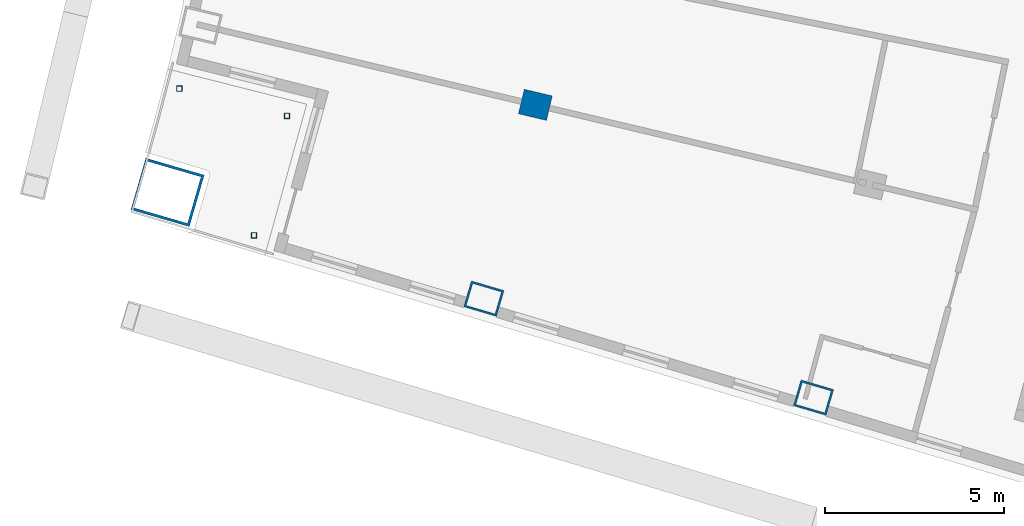
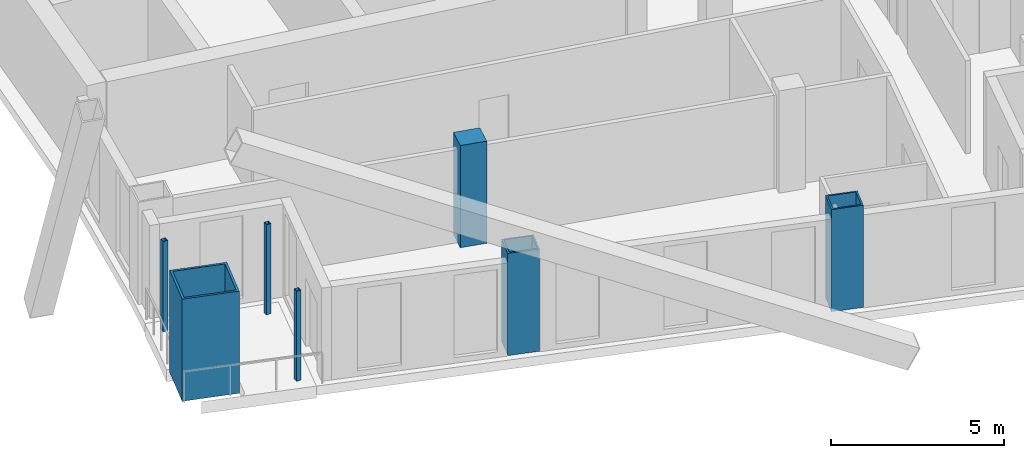
# One storey, part 1 of 19: 7 columns.
"""IFC4 building model written with IfcOpenShell, lengths in metres."""

from ifc_helpers import new_model, si_unit, direction, frame, origin, origin_2d, place, context, subcontext, project, spatial, rectangle, hollow_rectangle, extrude, material, material_profile, profile_set, type_object, element, save


model = new_model("IFC4")

# Units and contexts
model_context = context("Model", 3, precision=1e-05, world=origin(), true_north=direction((0.0, 1.0)))
body_context = subcontext(model_context, "Body", "Model", "MODEL_VIEW")
ifc_project = project(units=[si_unit("LENGTHUNIT", "METRE"), si_unit("AREAUNIT", "SQUARE_METRE"), si_unit("VOLUMEUNIT", "CUBIC_METRE"), si_unit("PLANEANGLEUNIT", "RADIAN"), si_unit("MASSUNIT", "GRAM", prefix="KILO")], contexts=[model_context])

# Site, building, storey
site_placement = place(None, origin())
site = spatial("IfcSite", under=ifc_project, at=site_placement, CompositionType="ELEMENT")
building_placement = place(site_placement, origin())
building = spatial("IfcBuilding", under=site, at=building_placement, Name="Alderwake Tower", CompositionType="ELEMENT")
storey_placement = place(building_placement, frame((0.0, 0.0, 200.0)))
storey = spatial("IfcBuildingStorey", under=building, at=storey_placement, Name="L49", CompositionType="ELEMENT", Elevation=200.0)

# Columns
ifc_material_1 = material(Name="Steel ASTM A572 Grade 50 concrete filled C70/85", Category="concrete")
ifc_material_profile_1 = material_profile(ifc_material_1, hollow_rectangle(XDim=0.75, YDim=0.949951171875, WallThickness=0.054931640625, at=origin_2d()), Name="BOX 950X750X55")
ifc_profile_set_1 = profile_set([ifc_material_profile_1], Name="Steel ASTM A572 Grade 50 concrete filled C70/85")
column_type_1 = type_object("IfcColumnType", Name="End column Z4", PredefinedType="COLUMN", material=ifc_profile_set_1)
for number, where, z_axis, x_axis, name in (
    (1, (21.885498046875, 31.03759765625, 0.0), (0.0, 0.0, 1.0), (0.282132160283, 0.95937554906, 0.0), "Column R02-C1"),
    (2, (31.080322265625, 28.27685546875, 0.0), (0.0, 0.0, 1.0), (0.282582549822, 0.959242984095, 0.0), "Column R02-C2"),
):
    element("IfcColumn", number, at=place(storey_placement, frame(where, z_axis=z_axis, x_axis=x_axis)), inside=storey, type_object=column_type_1, Name=name, PredefinedType="COLUMN", context=body_context, shape_type="SweptSolid", body=[
        extrude(hollow_rectangle(XDim=0.75, YDim=0.949951171875, WallThickness=0.054931640625, at=origin_2d()), origin(), (0.0, 0.0, 1.0), 3.60009765625),
    ])
ifc_material_2 = material(Name="Concrete C70/85", Category="concrete")
ifc_material_profile_2 = material_profile(ifc_material_2, rectangle(XDim=0.699951171875, YDim=0.800048828125, at=origin_2d()), Name="RC 800X700")
ifc_profile_set_2 = profile_set([ifc_material_profile_2], Name="Concrete C70/85")
column_type_2 = type_object("IfcColumnType", Name="Interior column Z4", PredefinedType="COLUMN", material=ifc_profile_set_2)
column_1_placement = place(storey_placement, frame((23.322021484375, 36.444091796875, 0.0), z_axis=(0.0, 0.0, 1.0), x_axis=(0.231221547198, 0.972901123502, 0.0)))
element("IfcColumn", 3, at=column_1_placement, inside=storey, type_object=column_type_2, Name="Column R03-C1", PredefinedType="COLUMN", context=body_context, shape_type="SweptSolid", body=[
    extrude(rectangle(XDim=0.699951171875, YDim=0.800048828125, at=origin_2d()), origin(), (0.0, 0.0, 1.0), 3.60009765625),
])
ifc_material_3 = material(Name="Steel ASTM A500 Grade C", Category="steel")
ifc_material_profile_3 = material_profile(ifc_material_3, hollow_rectangle(XDim=0.15234375, YDim=0.15234375, WallThickness=0.0087890625, at=origin_2d()), Name="HSS6X6X3/8")
ifc_profile_set_3 = profile_set([ifc_material_profile_3], Name="Steel ASTM A500 Grade C")
column_type_3 = type_object("IfcColumnType", Name="Light post HSS6X6X3/8", PredefinedType="COLUMN", material=ifc_profile_set_3)
for number, where, z_axis, x_axis, name in (
    (4, (13.3896484375, 36.896484375, 0.0), (0.0, 0.0, 1.0), (1.0, 0.0, 0.0), "Terrace post RS1"),
    (5, (15.47412109375, 32.805908203125, 0.0), (0.0, 0.0, 1.0), (1.0, 0.0, 0.0), "Terrace post RS2"),
    (6, (16.39501953125, 36.135986328125, 0.0), (0.0, 0.0, 1.0), (1.0, 0.0, 0.0), "Terrace post RS3"),
):
    element("IfcColumn", number, at=place(storey_placement, frame(where, z_axis=z_axis, x_axis=x_axis)), inside=storey, type_object=column_type_3, Name=name, PredefinedType="COLUMN", context=body_context, shape_type="SweptSolid", body=[
        extrude(hollow_rectangle(XDim=0.15234375, YDim=0.15234375, WallThickness=0.0087890625, at=origin_2d()), origin(), (0.0, 0.0, 1.0), 3.179931640625),
    ])
ifc_material_4 = material(Name="Steel ASTM A572 Grade 50 concrete filled C70/85", Category="concrete")
ifc_material_profile_4 = material_profile(ifc_material_4, hollow_rectangle(XDim=1.5, YDim=1.699951171875, WallThickness=0.074951171875, at=origin_2d()), Name="BOX 1700X1500X75")
ifc_profile_set_4 = profile_set([ifc_material_profile_4], Name="Steel ASTM A572 Grade 50 concrete filled C70/85")
column_type_4 = type_object("IfcColumnType", Name="Mega column Z4", PredefinedType="COLUMN", material=ifc_profile_set_4)
column_2_placement = place(storey_placement, frame((13.06298828125, 34.00244140625, 0.0), z_axis=(0.0, 0.0, 1.0), x_axis=(0.278612301868, 0.960403657452, 0.0)))
element("IfcColumn", 7, at=column_2_placement, inside=storey, type_object=column_type_4, Name="Column R02-C0", PredefinedType="COLUMN", context=body_context, shape_type="SweptSolid", body=[
    extrude(hollow_rectangle(XDim=1.5, YDim=1.699951171875, WallThickness=0.074951171875, at=origin_2d()), origin(), (0.0, 0.0, 1.0), 3.60009765625),
])

save(model, "model.ifc")
